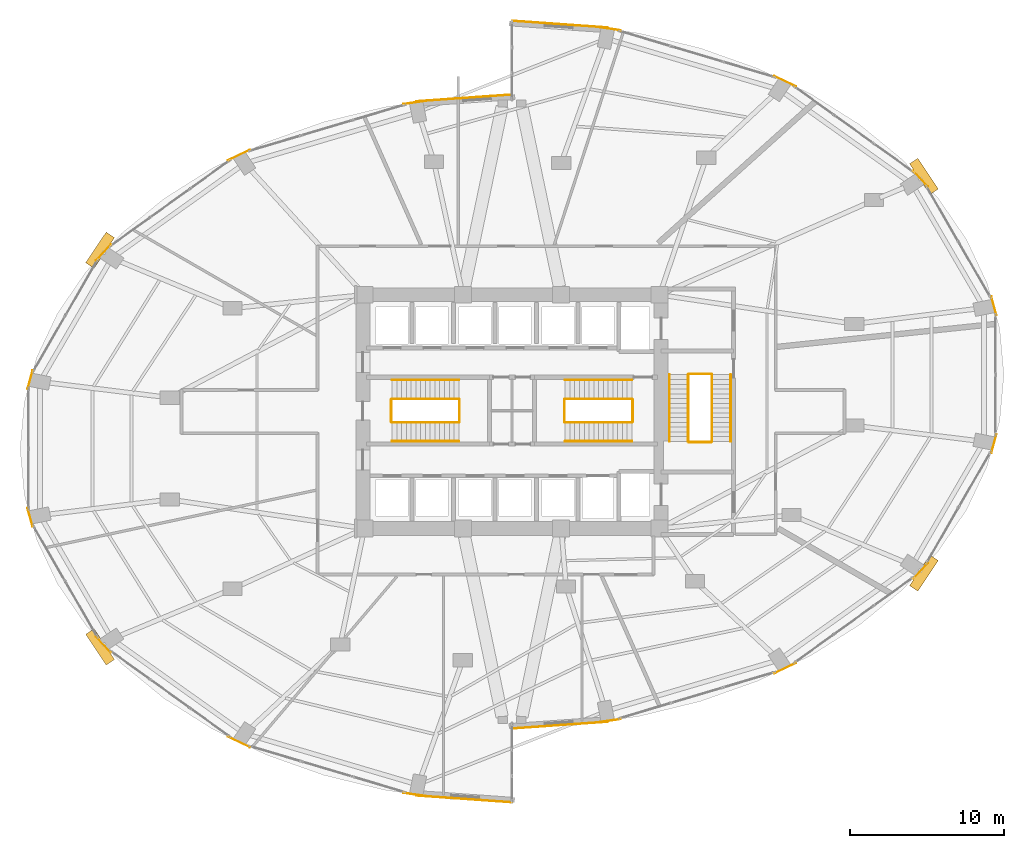
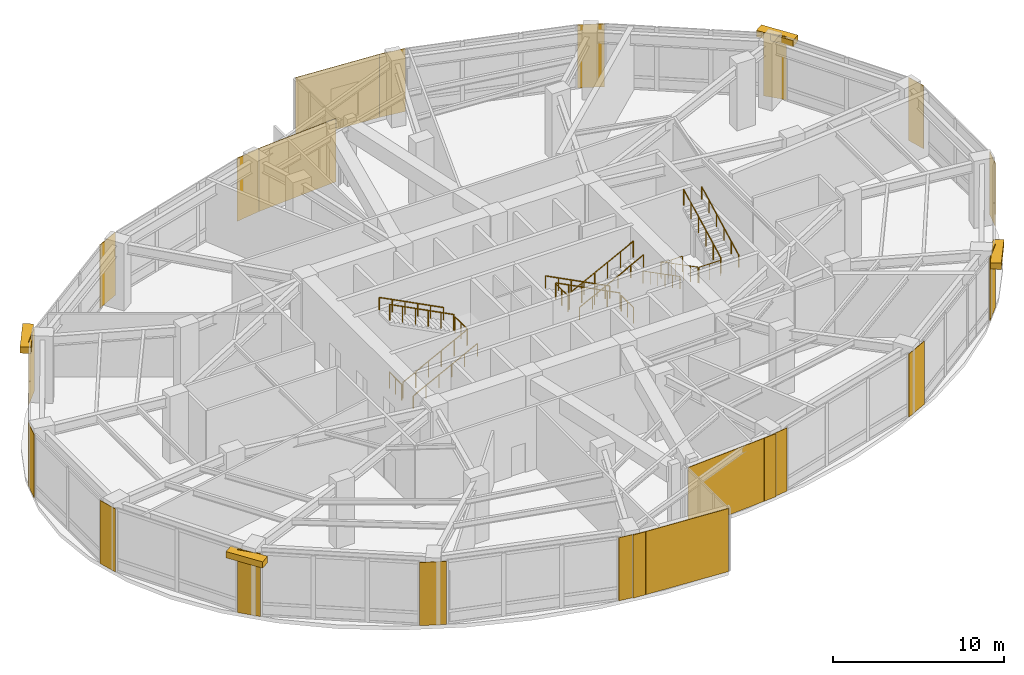
# One storey, part 24 of 24: 20 coverings, 18 railings, 4 shading devices.
"""IFC4 building model written with IfcOpenShell, lengths in metres."""

from ifc_helpers import new_model, si_unit, direction, frame, origin, origin_2d, place, context, subcontext, project, spatial, rectangle, circle, extrude, material, layer, layer_set, type_object, element, save


model = new_model("IFC4")

# Units and contexts
model_context = context("Model", 3, precision=1e-05, world=origin(), true_north=direction((0.0, 1.0)))
body_context = subcontext(model_context, "Body", "Model", "MODEL_VIEW")
ifc_project = project(units=[si_unit("LENGTHUNIT", "METRE"), si_unit("AREAUNIT", "SQUARE_METRE"), si_unit("VOLUMEUNIT", "CUBIC_METRE"), si_unit("PLANEANGLEUNIT", "RADIAN"), si_unit("MASSUNIT", "GRAM", prefix="KILO")], contexts=[model_context])

# Site, building, storey
site_placement = place(None, origin())
site = spatial("IfcSite", under=ifc_project, at=site_placement, CompositionType="ELEMENT")
building_placement = place(site_placement, origin())
building = spatial("IfcBuilding", under=site, at=building_placement, Name="Lazwardi Medical Tower", CompositionType="ELEMENT")
storey_placement = place(building_placement, frame((0.0, 0.0, 10.800048828125)))
storey = spatial("IfcBuildingStorey", under=building, at=storey_placement, Name="L02", CompositionType="ELEMENT", Elevation=10.800048828125)

# Coverings
ifc_material_1 = material(Name="Anodised bronze aluminium cassette cladding", Category="aluminium")
ifc_layer_1 = layer(ifc_material_1, 0.030029296875)
ifc_layer_set_1 = layer_set([ifc_layer_1], Name="Anodised bronze aluminium cassette cladding")
covering_type_1 = type_object("IfcCoveringType", Name="COV-CLD-BRZ", PredefinedType="CLADDING", material=ifc_layer_set_1)
covering_1_placement = place(storey_placement, frame((42.234375, 7.881591796875, 0.0), z_axis=(0.0, 0.0, 1.0), x_axis=(0.989942587141, 0.141469693453, 0.0)))
element("IfcCovering", 1, at=covering_1_placement, inside=storey, type_object=covering_type_1, Name="L02 Mega-column bronze cassette cover M01", PredefinedType="CLADDING", context=body_context, shape_type="SweptSolid", body=[
    extrude(rectangle(XDim=1.71337890625, YDim=0.030029296875, at=origin_2d()), origin(), (0.0, 0.0, 1.0), 4.52001953125),
])
covering_2_placement = place(storey_placement, frame((53.75390625, 11.309814453125, 0.0), z_axis=(0.0, 0.0, 1.0), x_axis=(0.901483824326, 0.432812793801, 0.0)))
element("IfcCovering", 2, at=covering_2_placement, inside=storey, type_object=covering_type_1, Name="L02 Mega-column bronze cassette cover M02", PredefinedType="CLADDING", context=body_context, shape_type="SweptSolid", body=[
    extrude(rectangle(XDim=1.59521484375, YDim=0.030029296875, at=origin_2d()), origin(), (0.0, 0.0, 1.0), 4.52001953125),
])
covering_3_placement = place(storey_placement, frame((62.57080078125, 17.644287109375, 0.0), z_axis=(0.0, 0.0, 1.0), x_axis=(0.681018709816, 0.732266015107, 0.0)))
element("IfcCovering", 3, at=covering_3_placement, inside=storey, type_object=covering_type_1, Name="L02 Mega-column bronze cassette cover M03", PredefinedType="CLADDING", context=body_context, shape_type="SweptSolid", body=[
    extrude(rectangle(XDim=1.410888671875, YDim=0.030029296875, at=origin_2d()), origin(), (0.0, 0.0, 1.0), 4.52001953125),
])
for number, where, z_axis, x_axis, name in (
    (4, (67.34228515625, 25.9208984375, 0.0), (0.0, 0.0, 1.0), (0.266836390112, 0.9637418435, 0.0), "L02 Mega-column bronze cassette cover M04"),
    (5, (67.34228515625, 34.879150390625, 0.0), (0.0, 0.0, 1.0), (-0.266836390112, 0.9637418435, 0.0), "L02 Mega-column bronze cassette cover M05"),
):
    element("IfcCovering", number, at=place(storey_placement, frame(where, z_axis=z_axis, x_axis=x_axis)), inside=storey, type_object=covering_type_1, Name=name, PredefinedType="CLADDING", context=body_context, shape_type="SweptSolid", body=[
        extrude(rectangle(XDim=1.264404296875, YDim=0.030029296875, at=origin_2d()), origin(), (0.0, 0.0, 1.0), 4.52001953125),
    ])
covering_4_placement = place(storey_placement, frame((62.57080078125, 43.155517578125, 0.0), z_axis=(0.0, 0.0, 1.0), x_axis=(-0.681018709816, 0.732266015107, 0.0)))
element("IfcCovering", 6, at=covering_4_placement, inside=storey, type_object=covering_type_1, Name="L02 Mega-column bronze cassette cover M06", PredefinedType="CLADDING", context=body_context, shape_type="SweptSolid", body=[
    extrude(rectangle(XDim=1.410888671875, YDim=0.030029296875, at=origin_2d()), origin(), (0.0, 0.0, 1.0), 4.52001953125),
])
covering_5_placement = place(storey_placement, frame((53.75390625, 49.490234375, 0.0), z_axis=(0.0, 0.0, 1.0), x_axis=(-0.901483824326, 0.432812793801, 0.0)))
element("IfcCovering", 7, at=covering_5_placement, inside=storey, type_object=covering_type_1, Name="L02 Mega-column bronze cassette cover M07", PredefinedType="CLADDING", context=body_context, shape_type="SweptSolid", body=[
    extrude(rectangle(XDim=1.59521484375, YDim=0.030029296875, at=origin_2d()), origin(), (0.0, 0.0, 1.0), 4.52001953125),
])
for number, where, z_axis, x_axis, name in (
    (8, (42.234375, 52.91845703125, 0.0), (0.0, 0.0, 1.0), (-0.989942587141, 0.141469693453, 0.0), "L02 Mega-column bronze cassette cover M08"),
    (9, (29.765625, 48.118408203125, 0.0), (0.0, 0.0, 1.0), (-0.989942587141, -0.141469693453, 0.0), "L02 Mega-column bronze cassette cover M09"),
):
    element("IfcCovering", number, at=place(storey_placement, frame(where, z_axis=z_axis, x_axis=x_axis)), inside=storey, type_object=covering_type_1, Name=name, PredefinedType="CLADDING", context=body_context, shape_type="SweptSolid", body=[
        extrude(rectangle(XDim=1.71337890625, YDim=0.030029296875, at=origin_2d()), origin(), (0.0, 0.0, 1.0), 4.52001953125),
    ])
covering_6_placement = place(storey_placement, frame((18.24609375, 44.690185546875, 0.0), z_axis=(0.0, 0.0, 1.0), x_axis=(-0.901483824326, -0.432812793801, 0.0)))
element("IfcCovering", 10, at=covering_6_placement, inside=storey, type_object=covering_type_1, Name="L02 Mega-column bronze cassette cover M10", PredefinedType="CLADDING", context=body_context, shape_type="SweptSolid", body=[
    extrude(rectangle(XDim=1.59521484375, YDim=0.030029296875, at=origin_2d()), origin(), (0.0, 0.0, 1.0), 4.52001953125),
])
covering_7_placement = place(storey_placement, frame((9.42919921875, 38.355712890625, 0.0), z_axis=(0.0, 0.0, 1.0), x_axis=(-0.681018709816, -0.732266015107, 0.0)))
element("IfcCovering", 11, at=covering_7_placement, inside=storey, type_object=covering_type_1, Name="L02 Mega-column bronze cassette cover M11", PredefinedType="CLADDING", context=body_context, shape_type="SweptSolid", body=[
    extrude(rectangle(XDim=1.410888671875, YDim=0.030029296875, at=origin_2d()), origin(), (0.0, 0.0, 1.0), 4.52001953125),
])
for number, where, z_axis, x_axis, name in (
    (12, (4.65771484375, 30.0791015625, 0.0), (0.0, 0.0, 1.0), (-0.266836390112, -0.9637418435, 0.0), "L02 Mega-column bronze cassette cover M12"),
    (13, (4.65771484375, 21.120849609375, 0.0), (0.0, 0.0, 1.0), (0.266836390112, -0.9637418435, 0.0), "L02 Mega-column bronze cassette cover M13"),
):
    element("IfcCovering", number, at=place(storey_placement, frame(where, z_axis=z_axis, x_axis=x_axis)), inside=storey, type_object=covering_type_1, Name=name, PredefinedType="CLADDING", context=body_context, shape_type="SweptSolid", body=[
        extrude(rectangle(XDim=1.264404296875, YDim=0.030029296875, at=origin_2d()), origin(), (0.0, 0.0, 1.0), 4.52001953125),
    ])
covering_8_placement = place(storey_placement, frame((9.42919921875, 12.844482421875, 0.0), z_axis=(0.0, 0.0, 1.0), x_axis=(0.681018709816, -0.732266015107, 0.0)))
element("IfcCovering", 14, at=covering_8_placement, inside=storey, type_object=covering_type_1, Name="L02 Mega-column bronze cassette cover M14", PredefinedType="CLADDING", context=body_context, shape_type="SweptSolid", body=[
    extrude(rectangle(XDim=1.410888671875, YDim=0.030029296875, at=origin_2d()), origin(), (0.0, 0.0, 1.0), 4.52001953125),
])
covering_9_placement = place(storey_placement, frame((18.24609375, 6.509765625, 0.0), z_axis=(0.0, 0.0, 1.0), x_axis=(0.901483824326, -0.432812793801, 0.0)))
element("IfcCovering", 15, at=covering_9_placement, inside=storey, type_object=covering_type_1, Name="L02 Mega-column bronze cassette cover M15", PredefinedType="CLADDING", context=body_context, shape_type="SweptSolid", body=[
    extrude(rectangle(XDim=1.59521484375, YDim=0.030029296875, at=origin_2d()), origin(), (0.0, 0.0, 1.0), 4.52001953125),
])
covering_10_placement = place(storey_placement, frame((29.765625, 3.08154296875, 0.0), z_axis=(0.0, 0.0, 1.0), x_axis=(0.989942587141, -0.141469693453, 0.0)))
element("IfcCovering", 16, at=covering_10_placement, inside=storey, type_object=covering_type_1, Name="L02 Mega-column bronze cassette cover M16", PredefinedType="CLADDING", context=body_context, shape_type="SweptSolid", body=[
    extrude(rectangle(XDim=1.71337890625, YDim=0.030029296875, at=origin_2d()), origin(), (0.0, 0.0, 1.0), 4.52001953125),
])
ifc_material_2 = material(Name="Turquoise glazed ceramic tilework cladding", Category="masonry")
ifc_layer_2 = layer(ifc_material_2, 0.034912109375)
ifc_layer_set_2 = layer_set([ifc_layer_2], Name="Turquoise glazed ceramic tilework cladding")
covering_type_2 = type_object("IfcCoveringType", Name="COV-CLD-TRQ", PredefinedType="CLADDING", material=ifc_layer_set_2)
for number, where, z_axis, x_axis, name in (
    (17, (39.1181640625, 7.6044921875, 0.0), (0.0, 0.0, 1.0), (0.997513140153, 0.070480743625, 0.0), "L02 Turquoise glazed ceramic tilework cladding"),
    (18, (39.1181640625, 53.195556640625, 0.0), (0.0, 0.0, 1.0), (-0.997513140153, 0.070480743625, 0.0), "L02 Turquoise glazed ceramic tilework cladding"),
):
    element("IfcCovering", number, at=place(storey_placement, frame(where, z_axis=z_axis, x_axis=x_axis)), inside=storey, type_object=covering_type_2, Name=name, PredefinedType="CLADDING", context=body_context, shape_type="SweptSolid", body=[
        extrude(rectangle(XDim=6.227294921875, YDim=0.034912109375, at=origin_2d()), origin(), (0.0, 0.0, 1.0), 4.52001953125),
    ])
for number, where, z_axis, x_axis, name in (
    (19, (32.881591796875, 48.3955078125, 0.0), (0.0, 0.0, 1.0), (-0.99751264808, -0.070487707578, 0.0), "L02 Turquoise glazed ceramic tilework cladding"),
    (20, (32.881591796875, 2.804443359375, 0.0), (0.0, 0.0, 1.0), (0.99751264808, -0.070487707578, 0.0), "L02 Turquoise glazed ceramic tilework cladding"),
):
    element("IfcCovering", number, at=place(storey_placement, frame(where, z_axis=z_axis, x_axis=x_axis)), inside=storey, type_object=covering_type_2, Name=name, PredefinedType="CLADDING", context=body_context, shape_type="SweptSolid", body=[
        extrude(rectangle(XDim=6.2265625, YDim=0.034912109375, at=origin_2d()), origin(), (0.0, 0.0, 1.0), 4.52001953125),
    ])

# Railings
ifc_material_3 = material(Name="Stainless steel Grade 316", Category="steel")
railing_type_1 = type_object("IfcRailingType", Name="RLG-GRD-1150", PredefinedType="GUARDRAIL", material=ifc_material_3)
railing_1_placement = place(storey_placement, frame((28.199951171875, 27.2900390625, 0.159912109375)))
element("IfcRailing", 21, at=railing_1_placement, inside=storey, type_object=railing_type_1, Name="L02 ST1 stair guard 1", PredefinedType="GUARDRAIL", context=body_context, shape_type="SweptSolid", body=[
    extrude(circle(Radius=0.02392578125, at=origin_2d()), frame((0.0, 0.0, 1.1259765625), z_axis=(0.888625257326, 0.0, 0.458634006636), x_axis=(0.0, 1.0, 0.0)), (0.0, 0.0, 1.0), 4.884033203125),
    extrude(circle(Radius=0.02099609375, at=origin_2d()), origin(), (0.0, 0.0, 1.0), 1.099853515625),
    extrude(circle(Radius=0.02099609375, at=origin_2d()), frame((0.867919921875, 0.0, 0.447998046875)), (0.0, 0.0, 1.0), 1.099853515625),
    extrude(circle(Radius=0.02099609375, at=origin_2d()), frame((1.736083984375, 0.0, 0.89599609375)), (0.0, 0.0, 1.0), 1.099853515625),
    extrude(circle(Radius=0.02099609375, at=origin_2d()), frame((2.60400390625, 0.0, 1.343994140625)), (0.0, 0.0, 1.0), 1.099853515625),
    extrude(circle(Radius=0.02099609375, at=origin_2d()), frame((3.47216796875, 0.0, 1.7919921875)), (0.0, 0.0, 1.0), 1.099853515625),
    extrude(circle(Radius=0.02099609375, at=origin_2d()), frame((4.340087890625, 0.0, 2.239990234375)), (0.0, 0.0, 1.0), 1.099853515625),
])
railing_2_placement = place(storey_placement, frame((32.590087890625, 27.340087890625, 2.39990234375)))
element("IfcRailing", 22, at=railing_2_placement, inside=storey, type_object=railing_type_1, Name="L02 ST1 stair guard 2", PredefinedType="GUARDRAIL", context=body_context, shape_type="SweptSolid", body=[
    extrude(circle(Radius=0.02392578125, at=origin_2d()), frame((0.0, 0.0, 1.1259765625), z_axis=(0.0, 1.0, 0.0), x_axis=(-1.0, 0.0, 0.0)), (0.0, 0.0, 1.0), 1.43994140625),
    extrude(circle(Radius=0.02099609375, at=origin_2d()), origin(), (0.0, 0.0, 1.0), 1.099853515625),
    extrude(circle(Radius=0.02099609375, at=origin_2d()), frame((0.0, 0.719970703125, 0.0)), (0.0, 0.0, 1.0), 1.099853515625),
    extrude(circle(Radius=0.02099609375, at=origin_2d()), frame((0.0, 1.43994140625, 0.0)), (0.0, 0.0, 1.0), 1.099853515625),
])
railing_3_placement = place(storey_placement, frame((32.5400390625, 28.830078125, 2.56005859375)))
element("IfcRailing", 23, at=railing_3_placement, inside=storey, type_object=railing_type_1, Name="L02 ST1 stair guard 3", PredefinedType="GUARDRAIL", context=body_context, shape_type="SweptSolid", body=[
    extrude(circle(Radius=0.02392578125, at=origin_2d()), frame((0.0, 0.0, 1.1259765625), z_axis=(-0.888625257326, 0.0, 0.458634006636), x_axis=(0.0, -1.0, 0.0)), (0.0, 0.0, 1.0), 4.884033203125),
    extrude(circle(Radius=0.02099609375, at=origin_2d()), origin(), (0.0, 0.0, 1.0), 1.099853515625),
    extrude(circle(Radius=0.02099609375, at=origin_2d()), frame((-0.867919921875, 0.0, 0.447998046875)), (0.0, 0.0, 1.0), 1.099853515625),
    extrude(circle(Radius=0.02099609375, at=origin_2d()), frame((-1.736083984375, 0.0, 0.89599609375)), (0.0, 0.0, 1.0), 1.099853515625),
    extrude(circle(Radius=0.02099609375, at=origin_2d()), frame((-2.60400390625, 0.0, 1.343994140625)), (0.0, 0.0, 1.0), 1.099853515625),
    extrude(circle(Radius=0.02099609375, at=origin_2d()), frame((-3.47216796875, 0.0, 1.7919921875)), (0.0, 0.0, 1.0), 1.099853515625),
    extrude(circle(Radius=0.02099609375, at=origin_2d()), frame((-4.340087890625, 0.0, 2.239990234375)), (0.0, 0.0, 1.0), 1.099853515625),
])
railing_4_placement = place(storey_placement, frame((28.14990234375, 27.340087890625, 0.0)))
element("IfcRailing", 24, at=railing_4_placement, inside=storey, type_object=railing_type_1, Name="L02 ST1 stair guard 4", PredefinedType="GUARDRAIL", context=body_context, shape_type="SweptSolid", body=[
    extrude(circle(Radius=0.02392578125, at=origin_2d()), frame((0.0, 0.0, 1.1259765625), z_axis=(0.0, 1.0, 0.0), x_axis=(-1.0, 0.0, 0.0)), (0.0, 0.0, 1.0), 1.43994140625),
    extrude(circle(Radius=0.02099609375, at=origin_2d()), origin(), (0.0, 0.0, 1.0), 1.099853515625),
    extrude(circle(Radius=0.02099609375, at=origin_2d()), frame((0.0, 0.719970703125, 0.0)), (0.0, 0.0, 1.0), 1.099853515625),
    extrude(circle(Radius=0.02099609375, at=origin_2d()), frame((0.0, 1.43994140625, 0.0)), (0.0, 0.0, 1.0), 1.099853515625),
])
railing_5_placement = place(storey_placement, frame((43.800048828125, 28.830078125, 0.159912109375)))
element("IfcRailing", 25, at=railing_5_placement, inside=storey, type_object=railing_type_1, Name="L02 ST2 stair guard 1", PredefinedType="GUARDRAIL", context=body_context, shape_type="SweptSolid", body=[
    extrude(circle(Radius=0.02392578125, at=origin_2d()), frame((0.0, 0.0, 1.1259765625), z_axis=(-0.888625257326, 0.0, 0.458634006636), x_axis=(0.0, -1.0, 0.0)), (0.0, 0.0, 1.0), 4.884033203125),
    extrude(circle(Radius=0.02099609375, at=origin_2d()), origin(), (0.0, 0.0, 1.0), 1.099853515625),
    extrude(circle(Radius=0.02099609375, at=origin_2d()), frame((-0.867919921875, 0.0, 0.447998046875)), (0.0, 0.0, 1.0), 1.099853515625),
    extrude(circle(Radius=0.02099609375, at=origin_2d()), frame((-1.736083984375, 0.0, 0.89599609375)), (0.0, 0.0, 1.0), 1.099853515625),
    extrude(circle(Radius=0.02099609375, at=origin_2d()), frame((-2.60400390625, 0.0, 1.343994140625)), (0.0, 0.0, 1.0), 1.099853515625),
    extrude(circle(Radius=0.02099609375, at=origin_2d()), frame((-3.47216796875, 0.0, 1.7919921875)), (0.0, 0.0, 1.0), 1.099853515625),
    extrude(circle(Radius=0.02099609375, at=origin_2d()), frame((-4.340087890625, 0.0, 2.239990234375)), (0.0, 0.0, 1.0), 1.099853515625),
])
railing_6_placement = place(storey_placement, frame((39.409912109375, 28.780029296875, 2.39990234375)))
element("IfcRailing", 26, at=railing_6_placement, inside=storey, type_object=railing_type_1, Name="L02 ST2 stair guard 2", PredefinedType="GUARDRAIL", context=body_context, shape_type="SweptSolid", body=[
    extrude(circle(Radius=0.02392578125, at=origin_2d()), frame((0.0, 0.0, 1.1259765625), z_axis=(0.0, -1.0, 0.0), x_axis=(1.0, 0.0, 0.0)), (0.0, 0.0, 1.0), 1.43994140625),
    extrude(circle(Radius=0.02099609375, at=origin_2d()), origin(), (0.0, 0.0, 1.0), 1.099853515625),
    extrude(circle(Radius=0.02099609375, at=origin_2d()), frame((0.0, -0.719970703125, 0.0)), (0.0, 0.0, 1.0), 1.099853515625),
    extrude(circle(Radius=0.02099609375, at=origin_2d()), frame((0.0, -1.43994140625, 0.0)), (0.0, 0.0, 1.0), 1.099853515625),
])
railing_7_placement = place(storey_placement, frame((39.4599609375, 27.2900390625, 2.56005859375)))
element("IfcRailing", 27, at=railing_7_placement, inside=storey, type_object=railing_type_1, Name="L02 ST2 stair guard 3", PredefinedType="GUARDRAIL", context=body_context, shape_type="SweptSolid", body=[
    extrude(circle(Radius=0.02392578125, at=origin_2d()), frame((0.0, 0.0, 1.1259765625), z_axis=(0.888625257326, 0.0, 0.458634006636), x_axis=(0.0, 1.0, 0.0)), (0.0, 0.0, 1.0), 4.884033203125),
    extrude(circle(Radius=0.02099609375, at=origin_2d()), origin(), (0.0, 0.0, 1.0), 1.099853515625),
    extrude(circle(Radius=0.02099609375, at=origin_2d()), frame((0.867919921875, 0.0, 0.447998046875)), (0.0, 0.0, 1.0), 1.099853515625),
    extrude(circle(Radius=0.02099609375, at=origin_2d()), frame((1.736083984375, 0.0, 0.89599609375)), (0.0, 0.0, 1.0), 1.099853515625),
    extrude(circle(Radius=0.02099609375, at=origin_2d()), frame((2.60400390625, 0.0, 1.343994140625)), (0.0, 0.0, 1.0), 1.099853515625),
    extrude(circle(Radius=0.02099609375, at=origin_2d()), frame((3.47216796875, 0.0, 1.7919921875)), (0.0, 0.0, 1.0), 1.099853515625),
    extrude(circle(Radius=0.02099609375, at=origin_2d()), frame((4.340087890625, 0.0, 2.239990234375)), (0.0, 0.0, 1.0), 1.099853515625),
])
railing_8_placement = place(storey_placement, frame((43.85009765625, 28.780029296875, 0.0)))
element("IfcRailing", 28, at=railing_8_placement, inside=storey, type_object=railing_type_1, Name="L02 ST2 stair guard 4", PredefinedType="GUARDRAIL", context=body_context, shape_type="SweptSolid", body=[
    extrude(circle(Radius=0.02392578125, at=origin_2d()), frame((0.0, 0.0, 1.1259765625), z_axis=(0.0, -1.0, 0.0), x_axis=(1.0, 0.0, 0.0)), (0.0, 0.0, 1.0), 1.43994140625),
    extrude(circle(Radius=0.02099609375, at=origin_2d()), origin(), (0.0, 0.0, 1.0), 1.099853515625),
    extrude(circle(Radius=0.02099609375, at=origin_2d()), frame((0.0, -0.719970703125, 0.0)), (0.0, 0.0, 1.0), 1.099853515625),
    extrude(circle(Radius=0.02099609375, at=origin_2d()), frame((0.0, -1.43994140625, 0.0)), (0.0, 0.0, 1.0), 1.099853515625),
])
railing_9_placement = place(storey_placement, frame((47.469970703125, 30.39990234375, 0.159912109375)))
element("IfcRailing", 29, at=railing_9_placement, inside=storey, type_object=railing_type_1, Name="L02 ST3 stair guard 1", PredefinedType="GUARDRAIL", context=body_context, shape_type="SweptSolid", body=[
    extrude(circle(Radius=0.02392578125, at=origin_2d()), frame((0.0, 0.0, 1.1259765625), z_axis=(0.0, -0.888614742027, 0.458654379956), x_axis=(1.0, 0.0, 0.0)), (0.0, 0.0, 1.0), 4.8837890625),
    extrude(circle(Radius=0.02099609375, at=origin_2d()), origin(), (0.0, 0.0, 1.0), 1.099853515625),
    extrude(circle(Radius=0.02099609375, at=origin_2d()), frame((0.0, -0.867919921875, 0.447998046875)), (0.0, 0.0, 1.0), 1.099853515625),
    extrude(circle(Radius=0.02099609375, at=origin_2d()), frame((0.0, -1.73583984375, 0.89599609375)), (0.0, 0.0, 1.0), 1.099853515625),
    extrude(circle(Radius=0.02099609375, at=origin_2d()), frame((0.0, -2.60400390625, 1.343994140625)), (0.0, 0.0, 1.0), 1.099853515625),
    extrude(circle(Radius=0.02099609375, at=origin_2d()), frame((0.0, -3.471923828125, 1.7919921875)), (0.0, 0.0, 1.0), 1.099853515625),
    extrude(circle(Radius=0.02099609375, at=origin_2d()), frame((0.0, -4.33984375, 2.239990234375)), (0.0, 0.0, 1.0), 1.099853515625),
])
railing_10_placement = place(storey_placement, frame((47.52001953125, 26.010009765625, 2.39990234375)))
element("IfcRailing", 30, at=railing_10_placement, inside=storey, type_object=railing_type_1, Name="L02 ST3 stair guard 2", PredefinedType="GUARDRAIL", context=body_context, shape_type="SweptSolid", body=[
    extrude(circle(Radius=0.02392578125, at=origin_2d()), frame((0.0, 0.0, 1.1259765625), z_axis=(1.0, 0.0, 0.0), x_axis=(0.0, 1.0, 0.0)), (0.0, 0.0, 1.0), 1.43994140625),
    extrude(circle(Radius=0.02099609375, at=origin_2d()), origin(), (0.0, 0.0, 1.0), 1.099853515625),
    extrude(circle(Radius=0.02099609375, at=origin_2d()), frame((0.719970703125, 0.0, 0.0)), (0.0, 0.0, 1.0), 1.099853515625),
    extrude(circle(Radius=0.02099609375, at=origin_2d()), frame((1.43994140625, 0.0, 0.0)), (0.0, 0.0, 1.0), 1.099853515625),
])
railing_11_placement = place(storey_placement, frame((49.010009765625, 26.06005859375, 2.56005859375)))
element("IfcRailing", 31, at=railing_11_placement, inside=storey, type_object=railing_type_1, Name="L02 ST3 stair guard 3", PredefinedType="GUARDRAIL", context=body_context, shape_type="SweptSolid", body=[
    extrude(circle(Radius=0.02392578125, at=origin_2d()), frame((0.0, 0.0, 1.1259765625), z_axis=(0.0, 0.888614742027, 0.458654379956), x_axis=(-1.0, 0.0, 0.0)), (0.0, 0.0, 1.0), 4.8837890625),
    extrude(circle(Radius=0.02099609375, at=origin_2d()), origin(), (0.0, 0.0, 1.0), 1.099853515625),
    extrude(circle(Radius=0.02099609375, at=origin_2d()), frame((0.0, 0.867919921875, 0.447998046875)), (0.0, 0.0, 1.0), 1.099853515625),
    extrude(circle(Radius=0.02099609375, at=origin_2d()), frame((0.0, 1.73583984375, 0.89599609375)), (0.0, 0.0, 1.0), 1.099853515625),
    extrude(circle(Radius=0.02099609375, at=origin_2d()), frame((0.0, 2.60400390625, 1.343994140625)), (0.0, 0.0, 1.0), 1.099853515625),
    extrude(circle(Radius=0.02099609375, at=origin_2d()), frame((0.0, 3.471923828125, 1.7919921875)), (0.0, 0.0, 1.0), 1.099853515625),
    extrude(circle(Radius=0.02099609375, at=origin_2d()), frame((0.0, 4.33984375, 2.239990234375)), (0.0, 0.0, 1.0), 1.099853515625),
])
railing_12_placement = place(storey_placement, frame((47.52001953125, 30.449951171875, 0.0)))
element("IfcRailing", 32, at=railing_12_placement, inside=storey, type_object=railing_type_1, Name="L02 ST3 stair guard 4", PredefinedType="GUARDRAIL", context=body_context, shape_type="SweptSolid", body=[
    extrude(circle(Radius=0.02392578125, at=origin_2d()), frame((0.0, 0.0, 1.1259765625), z_axis=(1.0, 0.0, 0.0), x_axis=(0.0, 1.0, 0.0)), (0.0, 0.0, 1.0), 1.43994140625),
    extrude(circle(Radius=0.02099609375, at=origin_2d()), origin(), (0.0, 0.0, 1.0), 1.099853515625),
    extrude(circle(Radius=0.02099609375, at=origin_2d()), frame((0.719970703125, 0.0, 0.0)), (0.0, 0.0, 1.0), 1.099853515625),
    extrude(circle(Radius=0.02099609375, at=origin_2d()), frame((1.43994140625, 0.0, 0.0)), (0.0, 0.0, 1.0), 1.099853515625),
])
railing_type_2 = type_object("IfcRailingType", Name="RLG-HND-920", PredefinedType="HANDRAIL", material=ifc_material_3)
railing_13_placement = place(storey_placement, frame((28.199951171875, 26.070068359375, 0.159912109375)))
element("IfcRailing", 33, at=railing_13_placement, inside=storey, type_object=railing_type_2, Name="L02 ST1 stair handrail 1", PredefinedType="HANDRAIL", context=body_context, shape_type="SweptSolid", body=[
    extrude(circle(Radius=0.02392578125, at=origin_2d()), frame((0.0, 0.0, 0.8857421875), z_axis=(0.888625257326, 0.0, 0.458634006636), x_axis=(0.0, 1.0, 0.0)), (0.0, 0.0, 1.0), 4.884033203125),
    extrude(circle(Radius=0.02099609375, at=origin_2d()), origin(), (0.0, 0.0, 1.0), 0.85986328125),
    extrude(circle(Radius=0.02099609375, at=origin_2d()), frame((0.867919921875, 0.0, 0.447998046875)), (0.0, 0.0, 1.0), 0.85986328125),
    extrude(circle(Radius=0.02099609375, at=origin_2d()), frame((1.736083984375, 0.0, 0.89599609375)), (0.0, 0.0, 1.0), 0.85986328125),
    extrude(circle(Radius=0.02099609375, at=origin_2d()), frame((2.60400390625, 0.0, 1.343994140625)), (0.0, 0.0, 1.0), 0.85986328125),
    extrude(circle(Radius=0.02099609375, at=origin_2d()), frame((3.47216796875, 0.0, 1.7919921875)), (0.0, 0.0, 1.0), 0.85986328125),
    extrude(circle(Radius=0.02099609375, at=origin_2d()), frame((4.340087890625, 0.0, 2.239990234375)), (0.0, 0.0, 1.0), 0.85986328125),
])
for number, where, name in (
    (34, (32.5400390625, 30.050048828125, 2.56005859375), "L02 ST1 stair handrail 2"),
    (35, (43.800048828125, 30.050048828125, 0.159912109375), "L02 ST2 stair handrail 1"),
):
    element("IfcRailing", number, at=place(storey_placement, frame(where)), inside=storey, type_object=railing_type_2, Name=name, PredefinedType="HANDRAIL", context=body_context, shape_type="SweptSolid", body=[
        extrude(circle(Radius=0.02392578125, at=origin_2d()), frame((0.0, 0.0, 0.8857421875), z_axis=(-0.888625257326, 0.0, 0.458634006636), x_axis=(0.0, -1.0, 0.0)), (0.0, 0.0, 1.0), 4.884033203125),
        extrude(circle(Radius=0.02099609375, at=origin_2d()), origin(), (0.0, 0.0, 1.0), 0.85986328125),
        extrude(circle(Radius=0.02099609375, at=origin_2d()), frame((-0.867919921875, 0.0, 0.447998046875)), (0.0, 0.0, 1.0), 0.85986328125),
        extrude(circle(Radius=0.02099609375, at=origin_2d()), frame((-1.736083984375, 0.0, 0.89599609375)), (0.0, 0.0, 1.0), 0.85986328125),
        extrude(circle(Radius=0.02099609375, at=origin_2d()), frame((-2.60400390625, 0.0, 1.343994140625)), (0.0, 0.0, 1.0), 0.85986328125),
        extrude(circle(Radius=0.02099609375, at=origin_2d()), frame((-3.47216796875, 0.0, 1.7919921875)), (0.0, 0.0, 1.0), 0.85986328125),
        extrude(circle(Radius=0.02099609375, at=origin_2d()), frame((-4.340087890625, 0.0, 2.239990234375)), (0.0, 0.0, 1.0), 0.85986328125),
    ])
railing_14_placement = place(storey_placement, frame((39.4599609375, 26.070068359375, 2.56005859375)))
element("IfcRailing", 36, at=railing_14_placement, inside=storey, type_object=railing_type_2, Name="L02 ST2 stair handrail 2", PredefinedType="HANDRAIL", context=body_context, shape_type="SweptSolid", body=[
    extrude(circle(Radius=0.02392578125, at=origin_2d()), frame((0.0, 0.0, 0.8857421875), z_axis=(0.888625257326, 0.0, 0.458634006636), x_axis=(0.0, 1.0, 0.0)), (0.0, 0.0, 1.0), 4.884033203125),
    extrude(circle(Radius=0.02099609375, at=origin_2d()), origin(), (0.0, 0.0, 1.0), 0.85986328125),
    extrude(circle(Radius=0.02099609375, at=origin_2d()), frame((0.867919921875, 0.0, 0.447998046875)), (0.0, 0.0, 1.0), 0.85986328125),
    extrude(circle(Radius=0.02099609375, at=origin_2d()), frame((1.736083984375, 0.0, 0.89599609375)), (0.0, 0.0, 1.0), 0.85986328125),
    extrude(circle(Radius=0.02099609375, at=origin_2d()), frame((2.60400390625, 0.0, 1.343994140625)), (0.0, 0.0, 1.0), 0.85986328125),
    extrude(circle(Radius=0.02099609375, at=origin_2d()), frame((3.47216796875, 0.0, 1.7919921875)), (0.0, 0.0, 1.0), 0.85986328125),
    extrude(circle(Radius=0.02099609375, at=origin_2d()), frame((4.340087890625, 0.0, 2.239990234375)), (0.0, 0.0, 1.0), 0.85986328125),
])
railing_15_placement = place(storey_placement, frame((46.25, 30.39990234375, 0.159912109375)))
element("IfcRailing", 37, at=railing_15_placement, inside=storey, type_object=railing_type_2, Name="L02 ST3 stair handrail 1", PredefinedType="HANDRAIL", context=body_context, shape_type="SweptSolid", body=[
    extrude(circle(Radius=0.02392578125, at=origin_2d()), frame((0.0, 0.0, 0.8857421875), z_axis=(0.0, -0.888614742027, 0.458654379956), x_axis=(1.0, 0.0, 0.0)), (0.0, 0.0, 1.0), 4.8837890625),
    extrude(circle(Radius=0.02099609375, at=origin_2d()), origin(), (0.0, 0.0, 1.0), 0.85986328125),
    extrude(circle(Radius=0.02099609375, at=origin_2d()), frame((0.0, -0.867919921875, 0.447998046875)), (0.0, 0.0, 1.0), 0.85986328125),
    extrude(circle(Radius=0.02099609375, at=origin_2d()), frame((0.0, -1.73583984375, 0.89599609375)), (0.0, 0.0, 1.0), 0.85986328125),
    extrude(circle(Radius=0.02099609375, at=origin_2d()), frame((0.0, -2.60400390625, 1.343994140625)), (0.0, 0.0, 1.0), 0.85986328125),
    extrude(circle(Radius=0.02099609375, at=origin_2d()), frame((0.0, -3.471923828125, 1.7919921875)), (0.0, 0.0, 1.0), 0.85986328125),
    extrude(circle(Radius=0.02099609375, at=origin_2d()), frame((0.0, -4.33984375, 2.239990234375)), (0.0, 0.0, 1.0), 0.85986328125),
])
railing_16_placement = place(storey_placement, frame((50.22998046875, 26.06005859375, 2.56005859375)))
element("IfcRailing", 38, at=railing_16_placement, inside=storey, type_object=railing_type_2, Name="L02 ST3 stair handrail 2", PredefinedType="HANDRAIL", context=body_context, shape_type="SweptSolid", body=[
    extrude(circle(Radius=0.02392578125, at=origin_2d()), frame((0.0, 0.0, 0.8857421875), z_axis=(0.0, 0.888614742027, 0.458654379956), x_axis=(-1.0, 0.0, 0.0)), (0.0, 0.0, 1.0), 4.8837890625),
    extrude(circle(Radius=0.02099609375, at=origin_2d()), origin(), (0.0, 0.0, 1.0), 0.85986328125),
    extrude(circle(Radius=0.02099609375, at=origin_2d()), frame((0.0, 0.867919921875, 0.447998046875)), (0.0, 0.0, 1.0), 0.85986328125),
    extrude(circle(Radius=0.02099609375, at=origin_2d()), frame((0.0, 1.73583984375, 0.89599609375)), (0.0, 0.0, 1.0), 0.85986328125),
    extrude(circle(Radius=0.02099609375, at=origin_2d()), frame((0.0, 2.60400390625, 1.343994140625)), (0.0, 0.0, 1.0), 0.85986328125),
    extrude(circle(Radius=0.02099609375, at=origin_2d()), frame((0.0, 3.471923828125, 1.7919921875)), (0.0, 0.0, 1.0), 0.85986328125),
    extrude(circle(Radius=0.02099609375, at=origin_2d()), frame((0.0, 4.33984375, 2.239990234375)), (0.0, 0.0, 1.0), 0.85986328125),
])

# Shading devices
ifc_material_4 = material(Name="Anodised bronze aluminium sunshade", Category="aluminium")
shading_device_type = type_object("IfcShadingDeviceType", Name="SHD-SUN-01", PredefinedType="USERDEFINED", material=ifc_material_4)
for number, where, z_axis, x_axis, name in (
    (39, (62.7900390625, 17.499755859375, 4.044921875), (0.0, 0.0, 1.0), (0.55557023302, 0.831469612303, 0.0), "L02 Podium Diagnostic Sunshade 1"),
    (40, (62.7900390625, 43.30029296875, 4.044921875), (0.0, 0.0, 1.0), (-0.55557023302, 0.831469612303, 0.0), "L02 Podium Diagnostic Sunshade 2"),
    (41, (9.2099609375, 38.500244140625, 4.044921875), (0.0, 0.0, 1.0), (-0.55557023302, -0.831469612303, 0.0), "L02 Podium Diagnostic Sunshade 3"),
    (42, (9.2099609375, 12.69970703125, 4.044921875), (0.0, 0.0, 1.0), (0.55557023302, -0.831469612303, 0.0), "L02 Podium Diagnostic Sunshade 4"),
):
    element("IfcShadingDevice", number, at=place(storey_placement, frame(where, z_axis=z_axis, x_axis=x_axis)), inside=storey, type_object=shading_device_type, Name=name, ObjectType="SUNSHADE", PredefinedType="USERDEFINED", context=body_context, shape_type="SweptSolid", body=[
        extrude(rectangle(XDim=2.39990234375, YDim=0.64990234375, at=origin_2d()), origin(), (0.0, 0.0, 1.0), 0.449951171875),
    ])

save(model, "model.ifc")
